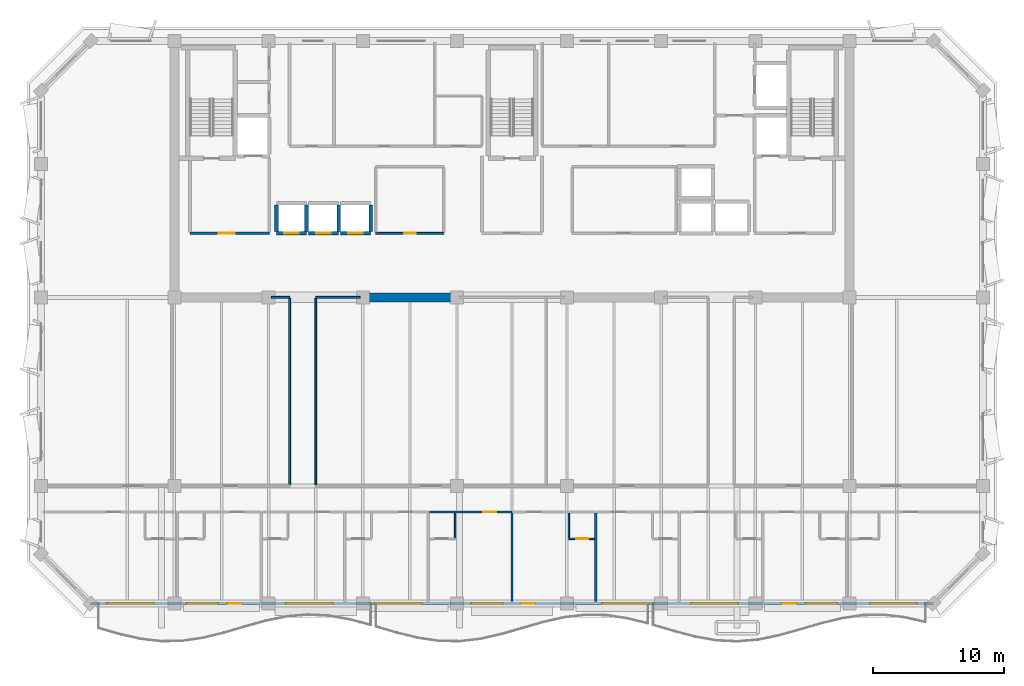
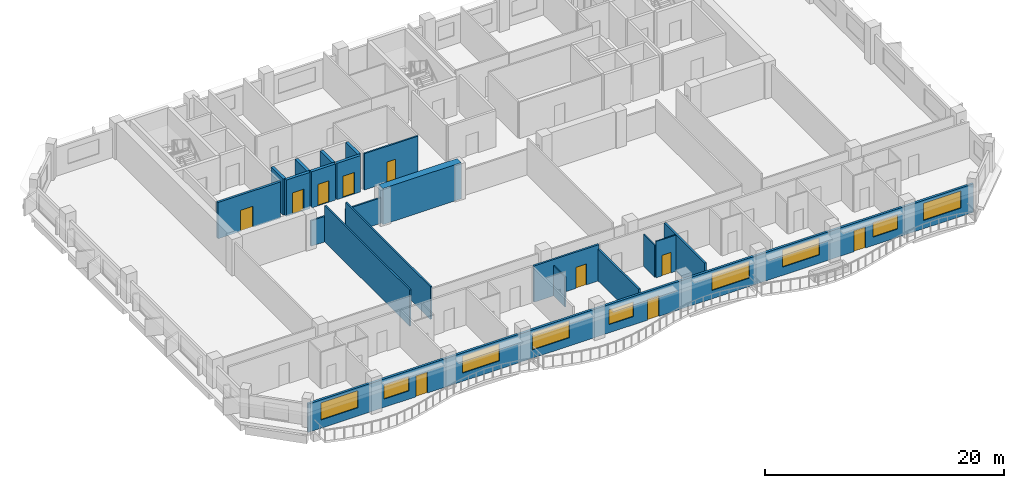
# One storey, part 4 of 11: 21 walls, 10 doors, 9 windows, 19 openings.
"""IFC4 building model written with IfcOpenShell, lengths in metres."""

import ifcopenshell
import ifcopenshell.guid

model = None  # the IFC model being written
_history = None  # IfcOwnerHistory: only IFC2X3 demands one
_inside = {}  # id of a spatial element -> (the spatial element, [elements in it])
_under = {}  # id of a project, library or spatial element -> (it, [spatial elements below it])
_declared = {}  # id of a project -> (the project, [libraries it declares])
_typed = {}  # id of a type object -> (the type object, [elements of that type])
_made_of = {}  # id of a material, layer set ... -> (it, [elements and type objects made of it])


def new_model(schema):
    """Start an empty IFC model of exactly this schema.

    Asked for "IFC4X3", IfcOpenShell would pick the latest addendum, in which some entities
    have other attributes; the version numbers below select the first issue.
    IFC2X3 requires an IfcOwnerHistory on every rooted entity: one is made here for all.
    """
    global model, _history
    if schema == "IFC4X3":
        model = ifcopenshell.file(schema_version=(4, 3, 0, 0))
    else:
        model = ifcopenshell.file(schema=schema)
    _inside.clear()
    _under.clear()
    _declared.clear()
    _typed.clear()
    _made_of.clear()
    _history = None
    if model.schema == "IFC2X3":
        org = make("IfcOrganization", Name="unknown")
        user = make(
            "IfcPersonAndOrganization",
            ThePerson=make("IfcPerson", FamilyName="unknown"),
            TheOrganization=org,
        )
        app = make(
            "IfcApplication",
            ApplicationDeveloper=org,
            Version="unknown",
            ApplicationFullName="unknown",
            ApplicationIdentifier="unknown",
        )
        _history = make(
            "IfcOwnerHistory",
            OwningUser=user,
            OwningApplication=app,
            ChangeAction="ADDED",
            CreationDate=0,
        )
    return model


def make(cls, **values):
    """One entity of the class cls with the attributes given. An attribute that is None is left unset."""
    return model.create_entity(
        cls, **{name: value for name, value in values.items() if value is not None}
    )


def rooted(cls, **values):
    """An entity with a GlobalId (a new one), such as an element, a storey or a relation."""
    return make(cls, GlobalId=ifcopenshell.guid.new(), OwnerHistory=_history, **values)


def si_unit(unit_type, name, prefix=None):
    """IfcSIUnit, for example si_unit("LENGTHUNIT", "METRE", prefix="MILLI")."""
    return make("IfcSIUnit", UnitType=unit_type, Prefix=prefix, Name=name)


def assignment(units):
    """IfcUnitAssignment: the units of a project."""
    return None if units is None else make("IfcUnitAssignment", Units=units)


def point(xyz):
    """IfcCartesianPoint."""
    return None if xyz is None else make("IfcCartesianPoint", Coordinates=xyz)


def direction(xyz):
    """IfcDirection."""
    return None if xyz is None else make("IfcDirection", DirectionRatios=xyz)


def frame(location, z_axis=None, x_axis=None):
    """IfcAxis2Placement3D, a coordinate frame: its origin and axes. An axis left out is left unset."""
    return make(
        "IfcAxis2Placement3D",
        Location=point(location),
        Axis=direction(z_axis),
        RefDirection=direction(x_axis),
    )


def frame_2d(location, x_axis=None):
    """IfcAxis2Placement2D, a coordinate frame in the plane: its origin and x axis."""
    return make(
        "IfcAxis2Placement2D", Location=point(location), RefDirection=direction(x_axis)
    )


def origin():
    """The frame at (0, 0, 0) with its axes left unset."""
    return frame((0.0, 0.0, 0.0))


def place(relative_to, where):
    """IfcLocalPlacement: puts the frame where relative to a parent placement (None: the world)."""
    return make(
        "IfcLocalPlacement", PlacementRelTo=relative_to, RelativePlacement=where
    )


def context(
    kind, dimensions, precision=None, world=None, true_north=None, identifier=None
):
    """IfcGeometricRepresentationContext, for example the 3D "Model" context."""
    return make(
        "IfcGeometricRepresentationContext",
        ContextIdentifier=identifier,
        ContextType=kind,
        CoordinateSpaceDimension=dimensions,
        Precision=precision,
        WorldCoordinateSystem=world,
        TrueNorth=true_north,
    )


def subcontext(parent, identifier, kind, view, scale=None):
    """IfcGeometricRepresentationSubContext, for example "Body" below "Model"."""
    return make(
        "IfcGeometricRepresentationSubContext",
        ContextIdentifier=identifier,
        ContextType=kind,
        ParentContext=parent,
        TargetScale=scale,
        TargetView=view,
    )


def project(units=None, contexts=None):
    """IfcProject with its units and contexts."""
    return rooted(
        "IfcProject",
        Name="project",
        RepresentationContexts=contexts,
        UnitsInContext=assignment(units),
    )


def spatial(cls, under=None, at=None, **own):
    """A site, building, storey or space (cls), placed at a placement, below another one or the project."""
    s = rooted(cls, ObjectPlacement=at, **own)
    if under is not None:
        _under.setdefault(under.id(), (under, []))[1].append(s)
    return s


def profile(cls, at=None, kind="AREA", **sizes):
    """A parametric profile (cls). Its sizes go by their IFC names, for example OverallWidth=200.0."""
    return make(cls, ProfileType=kind, Position=at, **sizes)


def rectangle(**sizes):
    """IfcRectangleProfileDef."""
    return profile("IfcRectangleProfileDef", **sizes)


def extrude(swept, where, along, depth):
    """IfcExtrudedAreaSolid: the profile swept, set in the frame where, extruded along a direction by depth."""
    return make(
        "IfcExtrudedAreaSolid",
        SweptArea=swept,
        Position=where,
        ExtrudedDirection=direction(along),
        Depth=depth,
    )


def shape(context_of_items, identifier, shape_type, items):
    """IfcShapeRepresentation: the items that make up one representation, for example the "Body"."""
    return make(
        "IfcShapeRepresentation",
        ContextOfItems=context_of_items,
        RepresentationIdentifier=identifier,
        RepresentationType=shape_type,
        Items=items,
    )


def material(Name=None, Category=None):
    """IfcMaterial."""
    return make("IfcMaterial", Name=Name, Category=Category)


def layer(
    of_material, thickness, ventilated=None, Name=None, Category=None, Priority=None
):
    """IfcMaterialLayer: one layer of a wall or slab, of a material (None: an air gap)."""
    return make(
        "IfcMaterialLayer",
        Material=of_material,
        LayerThickness=thickness,
        IsVentilated=ventilated,
        Name=Name,
        Category=Category,
        Priority=Priority,
    )


def layer_set(layers, Name=None):
    """IfcMaterialLayerSet."""
    return make("IfcMaterialLayerSet", MaterialLayers=layers, LayerSetName=Name)


def made_of(thing, what):
    """Note that an element or type object is made of a material, layer set ...; save() writes the relation."""
    if what is not None:
        _made_of.setdefault(what.id(), (what, []))[1].append(thing)
    return thing


def type_object(cls, material=None, **own):
    """A type object (cls), such as IfcWallType, which elements share."""
    return made_of(rooted(cls, **own), material)


def element(
    cls,
    number,
    at=None,
    inside=None,
    cuts=None,
    type_object=None,
    material=None,
    context=None,
    identifier="Body",
    shape_type=None,
    held_by="IfcProductDefinitionShape",
    body=None,
    shapes=None,
    **own,
):
    """One element of the class cls, such as IfcWall. Its Tag is "e" and its number.

    at: its placement. inside: the storey or other place that contains it. cuts: it is an
    opening in that element (IfcRelVoidsElement). A single representation is given by context,
    identifier, shape_type and body (its items); several are given by shapes. held_by: the class
    of the entity that holds the representations. save() writes the other relations.
    """
    e = rooted(cls, Tag="e%d" % number, ObjectPlacement=at, **own)
    if body is not None:
        shapes = [shape(context, identifier, shape_type, body)]
    if shapes is not None:
        e.Representation = make(held_by, Representations=shapes)
    if inside is not None:
        _inside.setdefault(inside.id(), (inside, []))[1].append(e)
    if cuts is not None:
        rooted(
            "IfcRelVoidsElement", RelatingBuildingElement=cuts, RelatedOpeningElement=e
        )
    if type_object is not None:
        _typed.setdefault(type_object.id(), (type_object, []))[1].append(e)
    return made_of(e, material)


def fill(opening, filler):
    """IfcRelFillsElement: the door or window that sits in an opening."""
    return rooted(
        "IfcRelFillsElement",
        RelatingOpeningElement=opening,
        RelatedBuildingElement=filler,
    )


def aggregate(whole, parts):
    """IfcRelAggregates: a whole, such as a stair, and the parts it consists of."""
    return rooted("IfcRelAggregates", RelatingObject=whole, RelatedObjects=parts)


def save(model, path):
    """Write the relations noted so far, then the file.

    IfcRelAggregates (storeys below a building ...), IfcRelContainedInSpatialStructure (elements
    in a storey), IfcRelDefinesByType, IfcRelAssociatesMaterial and IfcRelDeclares: one each for
    every whole, place, type object, material and project.
    """
    for whole, parts in _under.values():
        aggregate(whole, parts)
    for where, things in _inside.values():
        rooted(
            "IfcRelContainedInSpatialStructure",
            RelatedElements=things,
            RelatingStructure=where,
        )
    for kind, things in _typed.values():
        rooted("IfcRelDefinesByType", RelatedObjects=things, RelatingType=kind)
    for what, things in _made_of.values():
        rooted("IfcRelAssociatesMaterial", RelatedObjects=things, RelatingMaterial=what)
    for by, libraries in _declared.values():
        rooted("IfcRelDeclares", RelatingContext=by, RelatedDefinitions=libraries)
    model.write(path)


model = new_model("IFC4")

# Units and contexts
model_context = context("Model", 3, precision=1e-05, world=origin(), true_north=direction((0.0, 1.0)))
body_context = subcontext(model_context, "Body", "Model", "MODEL_VIEW")
ifc_project = project(units=[si_unit("LENGTHUNIT", "METRE"), si_unit("AREAUNIT", "SQUARE_METRE"), si_unit("VOLUMEUNIT", "CUBIC_METRE"), si_unit("PLANEANGLEUNIT", "RADIAN"), si_unit("MASSUNIT", "GRAM", prefix="KILO")], contexts=[model_context])

# Site, building, storey
site_placement = place(None, origin())
site = spatial("IfcSite", under=ifc_project, at=site_placement, CompositionType="ELEMENT")
building_placement = place(site_placement, origin())
building = spatial("IfcBuilding", under=site, at=building_placement, Name="Kaelvorn Grand Hotel", CompositionType="ELEMENT")
storey_placement = place(building_placement, frame((0.0, 0.0, 233.10009765625)))
storey = spatial("IfcBuildingStorey", under=building, at=storey_placement, Name="L57", CompositionType="ELEMENT", Elevation=233.10009765625)

# Wall
ifc_material_1 = material(Name="Concrete C50/60", Category="concrete")
ifc_layer_1 = layer(ifc_material_1, 0.699951171875)
ifc_layer_set_1 = layer_set([ifc_layer_1], Name="Concrete C50/60")
wall_type_1 = type_object("IfcWallType", Name="WL-CORE-700-C50", PredefinedType="SHEAR", material=ifc_layer_set_1)
wall_1_placement = place(storey_placement, frame((30.39990234375, 29.39990234375, 0.0), z_axis=(0.0, 0.0, 1.0), x_axis=(1.0, 0.0, 0.0)))
element("IfcWall", 1, at=wall_1_placement, inside=storey, type_object=wall_type_1, Name="L57 Rear-Core Coupled Shear Pier S2", PredefinedType="SHEAR", context=body_context, shape_type="SweptSolid", body=[
    extrude(rectangle(XDim=7.60009765625, YDim=0.699951171875, at=frame_2d((3.800048828125, 0.0))), origin(), (0.0, 0.0, 1.0), 3.7099609375),
])

# Wall, openings, doors, windows
ifc_material_2 = material(Name="Concrete C40/50", Category="concrete")
ifc_layer_2 = layer(ifc_material_2, 0.219970703125)
ifc_layer_set_2 = layer_set([ifc_layer_2], Name="Concrete C40/50")
wall_type_2 = type_object("IfcWallType", Name="WL-EXT-220-C40", PredefinedType="SOLIDWALL", material=ifc_layer_set_2)
wall_2_placement = place(storey_placement, frame((9.800048828125, 6.0, 0.0), z_axis=(0.0, 0.0, 1.0), x_axis=(1.0, 0.0, 0.0)))
wall_2 = element("IfcWall", 2, at=wall_2_placement, inside=storey, type_object=wall_type_2, Name="L57 Exterior Architectural Concrete Wall 01", PredefinedType="SOLIDWALL", context=body_context, shape_type="SweptSolid", body=[
    extrude(rectangle(XDim=64.39990234375, YDim=0.219970703125, at=frame_2d((32.199951171875, 0.0))), origin(), (0.0, 0.0, 1.0), 2.909912109375),
])
opening_1_placement = place(wall_2_placement, frame((10.449951171875, 0.0, 0.0)))
opening_1 = element("IfcOpeningElement", 3, at=opening_1_placement, cuts=wall_2, Name="Opening DE2", PredefinedType="OPENING", context=body_context, shape_type="SweptSolid", body=[
    extrude(rectangle(XDim=1.10009765625, YDim=2.14990234375, at=frame_2d((0.550048828125, 1.074951171875))), frame((0.0, 0.1201171875, 0.0), z_axis=(0.0, -1.0, 0.0), x_axis=(1.0, 0.0, 0.0)), (0.0, 0.0, 1.0), 0.239990234375),
])
opening_2_placement = place(wall_2_placement, frame((32.85009765625, 0.0, 0.0)))
opening_2 = element("IfcOpeningElement", 4, at=opening_2_placement, cuts=wall_2, Name="Opening DE2", PredefinedType="OPENING", context=body_context, shape_type="SweptSolid", body=[
    extrude(rectangle(XDim=1.10009765625, YDim=2.14990234375, at=frame_2d((0.550048828125, 1.074951171875))), frame((0.0, 0.1201171875, 0.0), z_axis=(0.0, -1.0, 0.0), x_axis=(1.0, 0.0, 0.0)), (0.0, 0.0, 1.0), 0.239990234375),
])
opening_3_placement = place(wall_2_placement, frame((52.85009765625, 0.0, 0.0)))
opening_3 = element("IfcOpeningElement", 5, at=opening_3_placement, cuts=wall_2, Name="Opening DE2", PredefinedType="OPENING", context=body_context, shape_type="SweptSolid", body=[
    extrude(rectangle(XDim=1.10009765625, YDim=2.14990234375, at=frame_2d((0.550048828125, 1.074951171875))), frame((0.0, 0.1201171875, 0.0), z_axis=(0.0, -1.0, 0.0), x_axis=(1.0, 0.0, 0.0)), (0.0, 0.0, 1.0), 0.239990234375),
])
opening_4_placement = place(wall_2_placement, frame((1.235107421875, 0.0, 0.85009765625)))
opening_4 = element("IfcOpeningElement", 6, at=opening_4_placement, cuts=wall_2, Name="Opening W3", PredefinedType="OPENING", context=body_context, shape_type="SweptSolid", body=[
    extrude(rectangle(XDim=3.60009765625, YDim=1.75, at=frame_2d((1.800048828125, 0.875))), frame((0.0, 0.1201171875, 0.0), z_axis=(0.0, -1.0, 0.0), x_axis=(1.0, 0.0, 0.0)), (0.0, 0.0, 1.0), 0.239990234375),
])
opening_5_placement = place(wall_2_placement, frame((7.340087890625, 0.0, 0.85009765625)))
opening_5 = element("IfcOpeningElement", 7, at=opening_5_placement, cuts=wall_2, Name="Opening W6", PredefinedType="OPENING", context=body_context, shape_type="SweptSolid", body=[
    extrude(rectangle(XDim=2.39990234375, YDim=1.5, at=frame_2d((1.199951171875, 0.75))), frame((0.0, 0.1201171875, 0.0), z_axis=(0.0, -1.0, 0.0), x_axis=(1.0, 0.0, 0.0)), (0.0, 0.0, 1.0), 0.239990234375),
])
opening_6_placement = place(wall_2_placement, frame((14.909912109375, 0.0, 0.85009765625)))
opening_6 = element("IfcOpeningElement", 8, at=opening_6_placement, cuts=wall_2, Name="Opening W3", PredefinedType="OPENING", context=body_context, shape_type="SweptSolid", body=[
    extrude(rectangle(XDim=3.60009765625, YDim=1.75, at=frame_2d((1.800048828125, 0.875))), frame((0.0, 0.1201171875, 0.0), z_axis=(0.0, -1.0, 0.0), x_axis=(1.0, 0.0, 0.0)), (0.0, 0.0, 1.0), 0.239990234375),
])
opening_7_placement = place(wall_2_placement, frame((21.705078125, 0.0, 0.85009765625)))
opening_7 = element("IfcOpeningElement", 9, at=opening_7_placement, cuts=wall_2, Name="Opening W3", PredefinedType="OPENING", context=body_context, shape_type="SweptSolid", body=[
    extrude(rectangle(XDim=3.60009765625, YDim=1.75, at=frame_2d((1.800048828125, 0.875))), frame((0.0, 0.1201171875, 0.0), z_axis=(0.0, -1.0, 0.0), x_axis=(1.0, 0.0, 0.0)), (0.0, 0.0, 1.0), 0.239990234375),
])
opening_8_placement = place(wall_2_placement, frame((29.10009765625, 0.0, 0.85009765625)))
opening_8 = element("IfcOpeningElement", 10, at=opening_8_placement, cuts=wall_2, Name="Opening W6", PredefinedType="OPENING", context=body_context, shape_type="SweptSolid", body=[
    extrude(rectangle(XDim=2.39990234375, YDim=1.5, at=frame_2d((1.199951171875, 0.75))), frame((0.0, 0.1201171875, 0.0), z_axis=(0.0, -1.0, 0.0), x_axis=(1.0, 0.0, 0.0)), (0.0, 0.0, 1.0), 0.239990234375),
])
opening_9_placement = place(wall_2_placement, frame((39.094970703125, 0.0, 0.85009765625)))
opening_9 = element("IfcOpeningElement", 11, at=opening_9_placement, cuts=wall_2, Name="Opening W3", PredefinedType="OPENING", context=body_context, shape_type="SweptSolid", body=[
    extrude(rectangle(XDim=3.60009765625, YDim=1.75, at=frame_2d((1.800048828125, 0.875))), frame((0.0, 0.1201171875, 0.0), z_axis=(0.0, -1.0, 0.0), x_axis=(1.0, 0.0, 0.0)), (0.0, 0.0, 1.0), 0.239990234375),
])
opening_10_placement = place(wall_2_placement, frame((45.889892578125, 0.0, 0.85009765625)))
opening_10 = element("IfcOpeningElement", 12, at=opening_10_placement, cuts=wall_2, Name="Opening W3", PredefinedType="OPENING", context=body_context, shape_type="SweptSolid", body=[
    extrude(rectangle(XDim=3.60009765625, YDim=1.75, at=frame_2d((1.800048828125, 0.875))), frame((0.0, 0.1201171875, 0.0), z_axis=(0.0, -1.0, 0.0), x_axis=(1.0, 0.0, 0.0)), (0.0, 0.0, 1.0), 0.239990234375),
])
opening_11_placement = place(wall_2_placement, frame((54.659912109375, 0.0, 0.85009765625)))
opening_11 = element("IfcOpeningElement", 13, at=opening_11_placement, cuts=wall_2, Name="Opening W6", PredefinedType="OPENING", context=body_context, shape_type="SweptSolid", body=[
    extrude(rectangle(XDim=2.39990234375, YDim=1.5, at=frame_2d((1.199951171875, 0.75))), frame((0.0, 0.1201171875, 0.0), z_axis=(0.0, -1.0, 0.0), x_axis=(1.0, 0.0, 0.0)), (0.0, 0.0, 1.0), 0.239990234375),
])
opening_12_placement = place(wall_2_placement, frame((59.56494140625, 0.0, 0.85009765625)))
opening_12 = element("IfcOpeningElement", 14, at=opening_12_placement, cuts=wall_2, Name="Opening W3", PredefinedType="OPENING", context=body_context, shape_type="SweptSolid", body=[
    extrude(rectangle(XDim=3.60009765625, YDim=1.75, at=frame_2d((1.800048828125, 0.875))), frame((0.0, 0.1201171875, 0.0), z_axis=(0.0, -1.0, 0.0), x_axis=(1.0, 0.0, 0.0)), (0.0, 0.0, 1.0), 0.239990234375),
])
ifc_material_3 = material(Name="Anodised Aluminium", Category="aluminium")
door_type_1 = type_object("IfcDoorType", Name="DR-EXT-BALC-1100x2150", OperationType="NOTDEFINED", PredefinedType="DOOR", material=ifc_material_3)
door_1_placement = place(opening_1_placement, origin())
door_1 = element("IfcDoor", 15, at=door_1_placement, inside=storey, type_object=door_type_1, Name="L57 Scalloped Balcony Glazed Door DE2-1", OperationType="SINGLE_SWING_RIGHT", OverallHeight=2.14990234375, OverallWidth=1.10009765625, PredefinedType="DOOR", context=body_context, shape_type="SweptSolid", body=[
    extrude(rectangle(XDim=1.10009765625, YDim=2.14990234375, at=frame_2d((0.550048828125, 1.074951171875))), frame((0.0, 0.02490234375, 0.0), z_axis=(0.0, -1.0, 0.0), x_axis=(1.0, 0.0, 0.0)), (0.0, 0.0, 1.0), 0.050048828125),
])
fill(opening_1, door_1)
door_2_placement = place(opening_2_placement, origin())
door_2 = element("IfcDoor", 16, at=door_2_placement, inside=storey, type_object=door_type_1, Name="L57 Scalloped Balcony Glazed Door DE2-2", OperationType="SINGLE_SWING_LEFT", OverallHeight=2.14990234375, OverallWidth=1.10009765625, PredefinedType="DOOR", context=body_context, shape_type="SweptSolid", body=[
    extrude(rectangle(XDim=1.10009765625, YDim=2.14990234375, at=frame_2d((0.550048828125, 1.074951171875))), frame((0.0, 0.02490234375, 0.0), z_axis=(0.0, -1.0, 0.0), x_axis=(1.0, 0.0, 0.0)), (0.0, 0.0, 1.0), 0.050048828125),
])
fill(opening_2, door_2)
door_3_placement = place(opening_3_placement, origin())
door_3 = element("IfcDoor", 17, at=door_3_placement, inside=storey, type_object=door_type_1, Name="L57 Scalloped Balcony Glazed Door DE2-3", OperationType="SINGLE_SWING_RIGHT", OverallHeight=2.14990234375, OverallWidth=1.10009765625, PredefinedType="DOOR", context=body_context, shape_type="SweptSolid", body=[
    extrude(rectangle(XDim=1.10009765625, YDim=2.14990234375, at=frame_2d((0.550048828125, 1.074951171875))), frame((0.0, 0.02490234375, 0.0), z_axis=(0.0, -1.0, 0.0), x_axis=(1.0, 0.0, 0.0)), (0.0, 0.0, 1.0), 0.050048828125),
])
fill(opening_3, door_3)
ifc_material_4 = material(Name="Laminated Low-E Glass", Category="glass")
window_type_1 = type_object("IfcWindowType", Name="WIN-NTH-2400x1500", PartitioningType="SINGLE_PANEL", PredefinedType="WINDOW", material=ifc_material_4)
window_1_placement = place(opening_5_placement, origin())
window_1 = element("IfcWindow", 18, at=window_1_placement, inside=storey, type_object=window_type_1, Name="L57 South Guestroom Ribbon Window SR02", OverallHeight=1.5, OverallWidth=2.39990234375, PartitioningType="SINGLE_PANEL", PredefinedType="WINDOW", context=body_context, shape_type="SweptSolid", body=[
    extrude(rectangle(XDim=2.39990234375, YDim=1.5, at=frame_2d((1.199951171875, 0.75))), frame((0.0, 0.030029296875, 0.0), z_axis=(0.0, -1.0, 0.0), x_axis=(1.0, 0.0, 0.0)), (0.0, 0.0, 1.0), 0.06005859375),
])
fill(opening_5, window_1)
window_2_placement = place(opening_8_placement, origin())
window_2 = element("IfcWindow", 19, at=window_2_placement, inside=storey, type_object=window_type_1, Name="L57 South Guestroom Ribbon Window SR05", OverallHeight=1.5, OverallWidth=2.39990234375, PartitioningType="SINGLE_PANEL", PredefinedType="WINDOW", context=body_context, shape_type="SweptSolid", body=[
    extrude(rectangle(XDim=2.39990234375, YDim=1.5, at=frame_2d((1.199951171875, 0.75))), frame((0.0, 0.030029296875, 0.0), z_axis=(0.0, -1.0, 0.0), x_axis=(1.0, 0.0, 0.0)), (0.0, 0.0, 1.0), 0.06005859375),
])
fill(opening_8, window_2)
window_3_placement = place(opening_11_placement, origin())
window_3 = element("IfcWindow", 20, at=window_3_placement, inside=storey, type_object=window_type_1, Name="L57 South Guestroom Ribbon Window SR08", OverallHeight=1.5, OverallWidth=2.39990234375, PartitioningType="SINGLE_PANEL", PredefinedType="WINDOW", context=body_context, shape_type="SweptSolid", body=[
    extrude(rectangle(XDim=2.39990234375, YDim=1.5, at=frame_2d((1.199951171875, 0.75))), frame((0.0, 0.030029296875, 0.0), z_axis=(0.0, -1.0, 0.0), x_axis=(1.0, 0.0, 0.0)), (0.0, 0.0, 1.0), 0.06005859375),
])
fill(opening_11, window_3)
window_type_2 = type_object("IfcWindowType", Name="WIN-RIB-3600x1750", PartitioningType="SINGLE_PANEL", PredefinedType="WINDOW", material=ifc_material_4)
window_4_placement = place(opening_4_placement, origin())
window_4 = element("IfcWindow", 21, at=window_4_placement, inside=storey, type_object=window_type_2, Name="L57 South Guestroom Ribbon Window SR01", OverallHeight=1.75, OverallWidth=3.60009765625, PartitioningType="SINGLE_PANEL", PredefinedType="WINDOW", context=body_context, shape_type="SweptSolid", body=[
    extrude(rectangle(XDim=3.60009765625, YDim=1.75, at=frame_2d((1.800048828125, 0.875))), frame((0.0, 0.030029296875, 0.0), z_axis=(0.0, -1.0, 0.0), x_axis=(1.0, 0.0, 0.0)), (0.0, 0.0, 1.0), 0.06005859375),
])
fill(opening_4, window_4)
window_5_placement = place(opening_6_placement, origin())
window_5 = element("IfcWindow", 22, at=window_5_placement, inside=storey, type_object=window_type_2, Name="L57 South Guestroom Ribbon Window SR03", OverallHeight=1.75, OverallWidth=3.60009765625, PartitioningType="SINGLE_PANEL", PredefinedType="WINDOW", context=body_context, shape_type="SweptSolid", body=[
    extrude(rectangle(XDim=3.60009765625, YDim=1.75, at=frame_2d((1.800048828125, 0.875))), frame((0.0, 0.030029296875, 0.0), z_axis=(0.0, -1.0, 0.0), x_axis=(1.0, 0.0, 0.0)), (0.0, 0.0, 1.0), 0.06005859375),
])
fill(opening_6, window_5)
window_6_placement = place(opening_7_placement, origin())
window_6 = element("IfcWindow", 23, at=window_6_placement, inside=storey, type_object=window_type_2, Name="L57 South Guestroom Ribbon Window SR04", OverallHeight=1.75, OverallWidth=3.60009765625, PartitioningType="SINGLE_PANEL", PredefinedType="WINDOW", context=body_context, shape_type="SweptSolid", body=[
    extrude(rectangle(XDim=3.60009765625, YDim=1.75, at=frame_2d((1.800048828125, 0.875))), frame((0.0, 0.030029296875, 0.0), z_axis=(0.0, -1.0, 0.0), x_axis=(1.0, 0.0, 0.0)), (0.0, 0.0, 1.0), 0.06005859375),
])
fill(opening_7, window_6)
window_7_placement = place(opening_9_placement, origin())
window_7 = element("IfcWindow", 24, at=window_7_placement, inside=storey, type_object=window_type_2, Name="L57 South Guestroom Ribbon Window SR06", OverallHeight=1.75, OverallWidth=3.60009765625, PartitioningType="SINGLE_PANEL", PredefinedType="WINDOW", context=body_context, shape_type="SweptSolid", body=[
    extrude(rectangle(XDim=3.60009765625, YDim=1.75, at=frame_2d((1.800048828125, 0.875))), frame((0.0, 0.030029296875, 0.0), z_axis=(0.0, -1.0, 0.0), x_axis=(1.0, 0.0, 0.0)), (0.0, 0.0, 1.0), 0.06005859375),
])
fill(opening_9, window_7)
window_8_placement = place(opening_10_placement, origin())
window_8 = element("IfcWindow", 25, at=window_8_placement, inside=storey, type_object=window_type_2, Name="L57 South Guestroom Ribbon Window SR07", OverallHeight=1.75, OverallWidth=3.60009765625, PartitioningType="SINGLE_PANEL", PredefinedType="WINDOW", context=body_context, shape_type="SweptSolid", body=[
    extrude(rectangle(XDim=3.60009765625, YDim=1.75, at=frame_2d((1.800048828125, 0.875))), frame((0.0, 0.030029296875, 0.0), z_axis=(0.0, -1.0, 0.0), x_axis=(1.0, 0.0, 0.0)), (0.0, 0.0, 1.0), 0.06005859375),
])
fill(opening_10, window_8)
window_9_placement = place(opening_12_placement, origin())
window_9 = element("IfcWindow", 26, at=window_9_placement, inside=storey, type_object=window_type_2, Name="L57 South Guestroom Ribbon Window SR09", OverallHeight=1.75, OverallWidth=3.60009765625, PartitioningType="SINGLE_PANEL", PredefinedType="WINDOW", context=body_context, shape_type="SweptSolid", body=[
    extrude(rectangle(XDim=3.60009765625, YDim=1.75, at=frame_2d((1.800048828125, 0.875))), frame((0.0, 0.030029296875, 0.0), z_axis=(0.0, -1.0, 0.0), x_axis=(1.0, 0.0, 0.0)), (0.0, 0.0, 1.0), 0.06005859375),
])
fill(opening_12, window_9)

# Wall
ifc_material_5 = material(Name="Moisture-Resistant Tile & Stud Board")
ifc_layer_3 = layer(ifc_material_5, 0.125)
ifc_layer_set_3 = layer_set([ifc_layer_3], Name="Moisture-Resistant Tile & Stud Board")
wall_type_3 = type_object("IfcWallType", Name="WL-PART-125-WET", PredefinedType="PARTITIONING", material=ifc_layer_set_3)
wall_3_placement = place(storey_placement, frame((37.64990234375, 11.017578125, 0.0), z_axis=(0.0, 0.0, 1.0), x_axis=(0.0, 1.0, 0.0)))
element("IfcWall", 27, at=wall_3_placement, inside=storey, type_object=wall_type_3, Name="L57 En-suite Bathroom L57-05 E Partition", PredefinedType="PARTITIONING", context=body_context, shape_type="SweptSolid", body=[
    extrude(rectangle(XDim=1.887451171875, YDim=0.125, at=frame_2d((0.94384765625, 0.0))), origin(), (0.0, 0.0, 1.0), 3.079833984375),
])

# Wall, opening, door
wall_4_placement = place(storey_placement, frame((46.35009765625, 10.949951171875, 0.0), z_axis=(0.0, 0.0, 1.0), x_axis=(1.0, 0.0, 0.0)))
wall_4 = element("IfcWall", 28, at=wall_4_placement, inside=storey, type_object=wall_type_3, Name="L57 En-suite Bathroom L57-06 S Partition", PredefinedType="PARTITIONING", context=body_context, shape_type="SweptSolid", body=[
    extrude(rectangle(XDim=1.94482421875, YDim=0.125, at=frame_2d((0.972412109375, 0.0))), origin(), (0.0, 0.0, 1.0), 3.7099609375),
])
opening_13_placement = place(wall_4_placement, frame((0.570068359375, 0.0, 0.0)))
opening_13 = element("IfcOpeningElement", 29, at=opening_13_placement, cuts=wall_4, Name="Opening DI4", PredefinedType="OPENING", context=body_context, shape_type="SweptSolid", body=[
    extrude(rectangle(XDim=0.89990234375, YDim=2.10009765625, at=frame_2d((0.449951171875, 1.050048828125))), frame((0.0, 0.072509765625, 0.0), z_axis=(0.0, -1.0, 0.0), x_axis=(1.0, 0.0, 0.0)), (0.0, 0.0, 1.0), 0.14501953125),
])
ifc_material_6 = material(Name="Timber Veneer Leaf", Category="wood")
door_type_2 = type_object("IfcDoorType", Name="DR-INT-BATH-900x2100", OperationType="NOTDEFINED", PredefinedType="DOOR", material=ifc_material_6)
door_4_placement = place(opening_13_placement, origin())
door_4 = element("IfcDoor", 30, at=door_4_placement, inside=storey, type_object=door_type_2, Name="L57 En-suite Bathroom L57-06 Door", OperationType="SINGLE_SWING_RIGHT", OverallHeight=2.10009765625, OverallWidth=0.89990234375, PredefinedType="DOOR", context=body_context, shape_type="SweptSolid", body=[
    extrude(rectangle(XDim=0.89990234375, YDim=2.10009765625, at=frame_2d((0.449951171875, 1.050048828125))), frame((0.0, 0.02490234375, 0.0), z_axis=(0.0, -1.0, 0.0), x_axis=(1.0, 0.0, 0.0)), (0.0, 0.0, 1.0), 0.050048828125),
])
fill(opening_13, door_4)

# Wall
wall_5_placement = place(storey_placement, frame((46.35009765625, 11.017578125, 0.0), z_axis=(0.0, 0.0, 1.0), x_axis=(0.0, 1.0, 0.0)))
element("IfcWall", 31, at=wall_5_placement, inside=storey, type_object=wall_type_3, Name="L57 En-suite Bathroom L57-06 W Partition", PredefinedType="PARTITIONING", context=body_context, shape_type="SweptSolid", body=[
    extrude(rectangle(XDim=1.887451171875, YDim=0.125, at=frame_2d((0.94384765625, 0.0))), origin(), (0.0, 0.0, 1.0), 3.260009765625),
])

# Wall, opening, door
ifc_material_7 = material(Name="Acoustic Gypsum & Stud Partition")
ifc_layer_4 = layer(ifc_material_7, 0.14990234375)
ifc_layer_set_4 = layer_set([ifc_layer_4], Name="Acoustic Gypsum & Stud Partition")
wall_type_4 = type_object("IfcWallType", Name="WL-PART-150-EI60", PredefinedType="PARTITIONING", material=ifc_layer_set_4)
wall_6_placement = place(storey_placement, frame((31.60009765625, 34.300048828125, 0.0), z_axis=(0.0, 0.0, 1.0), x_axis=(1.0, 0.0, 0.0)))
wall_6 = element("IfcWall", 32, at=wall_6_placement, inside=storey, type_object=wall_type_4, Name="L57 Core Telecoms & BMS Server Room S Partition", PredefinedType="PARTITIONING", context=body_context, shape_type="SweptSolid", body=[
    extrude(rectangle(XDim=5.199951171875, YDim=0.14990234375, at=frame_2d((2.60009765625, 0.0))), origin(), (0.0, 0.0, 1.0), 3.7099609375),
])
opening_14_placement = place(wall_6_placement, frame((2.175048828125, 0.0, 0.0)))
opening_14 = element("IfcOpeningElement", 33, at=opening_14_placement, cuts=wall_6, Name="Opening DI7", PredefinedType="OPENING", context=body_context, shape_type="SweptSolid", body=[
    extrude(rectangle(XDim=0.85009765625, YDim=2.10009765625, at=frame_2d((0.425048828125, 1.050048828125))), frame((0.0, 0.0849609375, 0.0), z_axis=(0.0, -1.0, 0.0), x_axis=(1.0, 0.0, 0.0)), (0.0, 0.0, 1.0), 0.169921875),
])
ifc_material_8 = material(Name="Powder-Coated Steel Leaf", Category="steel")
door_type_3 = type_object("IfcDoorType", Name="DR-INT-RISER-850x2100", OperationType="NOTDEFINED", PredefinedType="DOOR", material=ifc_material_8)
door_5_placement = place(opening_14_placement, origin())
door_5 = element("IfcDoor", 34, at=door_5_placement, inside=storey, type_object=door_type_3, Name="L57 Core Telecoms & BMS Server Room Door", OperationType="SINGLE_SWING_RIGHT", OverallHeight=2.10009765625, OverallWidth=0.85009765625, PredefinedType="DOOR", context=body_context, shape_type="SweptSolid", body=[
    extrude(rectangle(XDim=0.85009765625, YDim=2.10009765625, at=frame_2d((0.425048828125, 1.050048828125))), frame((0.0, 0.02490234375, 0.0), z_axis=(0.0, -1.0, 0.0), x_axis=(1.0, 0.0, 0.0)), (0.0, 0.0, 1.0), 0.050048828125),
])
fill(opening_14, door_5)

# Walls
wall_7_placement = place(storey_placement, frame((23.610107421875, 29.39990234375, 0.0), z_axis=(0.0, 0.0, 1.0), x_axis=(1.0, 0.0, 0.0)))
element("IfcWall", 35, at=wall_7_placement, inside=storey, type_object=wall_type_4, Name="L57 Executive Meeting Boardroom N Partition", PredefinedType="PARTITIONING", context=body_context, shape_type="SweptSolid", body=[
    extrude(rectangle(XDim=1.389892578125, YDim=0.14990234375, at=frame_2d((0.69482421875, 0.0))), origin(), (0.0, 0.0, 1.0), 2.60986328125),
])
wall_8_placement = place(storey_placement, frame((25.0, 15.080078125, 0.0), z_axis=(0.0, 0.0, 1.0), x_axis=(0.0, 1.0, 0.0)))
element("IfcWall", 36, at=wall_8_placement, inside=storey, type_object=wall_type_4, Name="L57 Executive Meeting Boardroom E Partition", PredefinedType="PARTITIONING", context=body_context, shape_type="SweptSolid", body=[
    extrude(rectangle(XDim=14.239990234375, YDim=0.14990234375, at=frame_2d((7.1201171875, 0.0))), origin(), (0.0, 0.0, 1.0), 3.7099609375),
])
wall_9_placement = place(storey_placement, frame((27.0, 29.39990234375, 0.0), z_axis=(0.0, 0.0, 1.0), x_axis=(1.0, 0.0, 0.0)))
element("IfcWall", 37, at=wall_9_placement, inside=storey, type_object=wall_type_4, Name="L57 Guest Butler Kitchen N Partition (1)", PredefinedType="PARTITIONING", context=body_context, shape_type="SweptSolid", body=[
    extrude(rectangle(XDim=3.389892578125, YDim=0.14990234375, at=frame_2d((1.69482421875, 0.0))), origin(), (0.0, 0.0, 1.0), 2.60986328125),
])
wall_10_placement = place(storey_placement, frame((27.0, 15.080078125, 0.0), z_axis=(0.0, 0.0, 1.0), x_axis=(0.0, 1.0, 0.0)))
element("IfcWall", 38, at=wall_10_placement, inside=storey, type_object=wall_type_4, Name="L57 Guest Butler Kitchen W Partition", PredefinedType="PARTITIONING", context=body_context, shape_type="SweptSolid", body=[
    extrude(rectangle(XDim=14.239990234375, YDim=0.14990234375, at=frame_2d((7.1201171875, 0.0))), origin(), (0.0, 0.0, 1.0), 3.349853515625),
])

# Wall, opening, door
ifc_layer_5 = layer(ifc_material_7, 0.179931640625)
ifc_layer_set_5 = layer_set([ifc_layer_5], Name="Acoustic Gypsum & Stud Partition")
wall_type_5 = type_object("IfcWallType", Name="WL-PART-180-EI60", PredefinedType="PARTITIONING", material=ifc_layer_set_5)
wall_11_placement = place(storey_placement, frame((35.705078125, 13.0, 0.0), z_axis=(0.0, 0.0, 1.0), x_axis=(1.0, 0.0, 0.0)))
wall_11 = element("IfcWall", 39, at=wall_11_placement, inside=storey, type_object=wall_type_5, Name="L57 Ambassador Guest Room L57-05 N Partition", PredefinedType="PARTITIONING", context=body_context, shape_type="SweptSolid", body=[
    extrude(rectangle(XDim=6.294921875, YDim=0.179931640625, at=frame_2d((3.1474609375, 0.0))), origin(), (0.0, 0.0, 1.0), 3.7099609375),
])
opening_15_placement = place(wall_11_placement, frame((4.0849609375, 0.0, 0.0)))
opening_15 = element("IfcOpeningElement", 40, at=opening_15_placement, cuts=wall_11, Name="Opening DI3", PredefinedType="OPENING", context=body_context, shape_type="SweptSolid", body=[
    extrude(rectangle(XDim=1.0, YDim=2.14990234375, at=frame_2d((0.5, 1.074951171875))), frame((0.0, 0.10009765625, 0.0), z_axis=(0.0, -1.0, 0.0), x_axis=(1.0, 0.0, 0.0)), (0.0, 0.0, 1.0), 0.199951171875),
])
ifc_material_9 = material(Name="Timber Veneer Fire Leaf", Category="wood")
door_type_4 = type_object("IfcDoorType", Name="DR-INT-GUEST-1000x2150", OperationType="NOTDEFINED", PredefinedType="DOOR", material=ifc_material_9)
door_6_placement = place(opening_15_placement, origin())
door_6 = element("IfcDoor", 41, at=door_6_placement, inside=storey, type_object=door_type_4, Name="L57 Ambassador Guest Room L57-05 Door", OperationType="SINGLE_SWING_LEFT", OverallHeight=2.14990234375, OverallWidth=1.0, PredefinedType="DOOR", context=body_context, shape_type="SweptSolid", body=[
    extrude(rectangle(XDim=1.0, YDim=2.14990234375, at=frame_2d((0.5, 1.074951171875))), frame((0.0, 0.02490234375, 0.0), z_axis=(0.0, -1.0, 0.0), x_axis=(1.0, 0.0, 0.0)), (0.0, 0.0, 1.0), 0.050048828125),
])
fill(opening_15, door_6)

# Walls
wall_12_placement = place(storey_placement, frame((42.0, 6.14990234375, 0.0), z_axis=(0.0, 0.0, 1.0), x_axis=(0.0, 1.0, 0.0)))
element("IfcWall", 42, at=wall_12_placement, inside=storey, type_object=wall_type_5, Name="L57 Ambassador Guest Room L57-05 E Partition", PredefinedType="PARTITIONING", context=body_context, shape_type="SweptSolid", body=[
    extrude(rectangle(XDim=6.755126953125, YDim=0.179931640625, at=frame_2d((3.37744140625, 0.0))), origin(), (0.0, 0.0, 1.0), 3.260009765625),
])
wall_13_placement = place(storey_placement, frame((48.389892578125, 6.14990234375, 0.0), z_axis=(0.0, 0.0, 1.0), x_axis=(0.0, 1.0, 0.0)))
element("IfcWall", 43, at=wall_13_placement, inside=storey, type_object=wall_type_5, Name="L57 Ambassador Guest Room L57-06 E Partition", PredefinedType="PARTITIONING", context=body_context, shape_type="SweptSolid", body=[
    extrude(rectangle(XDim=6.755126953125, YDim=0.179931640625, at=frame_2d((3.37744140625, 0.0))), origin(), (0.0, 0.0, 1.0), 3.7099609375),
])

# Wall, opening, door
ifc_layer_6 = layer(ifc_material_2, 0.219970703125)
ifc_layer_set_6 = layer_set([ifc_layer_6], Name="Concrete C40/50")
wall_type_6 = type_object("IfcWallType", Name="WL-PART-220-EI120", PredefinedType="PARTITIONING", material=ifc_layer_set_6)
wall_14_placement = place(storey_placement, frame((17.39990234375, 34.300048828125, 0.0), z_axis=(0.0, 0.0, 1.0), x_axis=(1.0, 0.0, 0.0)))
wall_14 = element("IfcWall", 44, at=wall_14_placement, inside=storey, type_object=wall_type_6, Name="L57 Firefighting Lift Lobby 1 S Partition", PredefinedType="PARTITIONING", context=body_context, shape_type="SweptSolid", body=[
    extrude(rectangle(XDim=6.050048828125, YDim=0.219970703125, at=frame_2d((3.02490234375, 0.0))), origin(), (0.0, 0.0, 1.0), 3.7099609375),
])
opening_16_placement = place(wall_14_placement, frame((2.199951171875, 0.0, 0.0)))
opening_16 = element("IfcOpeningElement", 45, at=opening_16_placement, cuts=wall_14, Name="Opening DI2", PredefinedType="OPENING", context=body_context, shape_type="SweptSolid", body=[
    extrude(rectangle(XDim=1.199951171875, YDim=2.14990234375, at=frame_2d((0.60009765625, 1.074951171875))), frame((0.0, 0.1201171875, 0.0), z_axis=(0.0, -1.0, 0.0), x_axis=(1.0, 0.0, 0.0)), (0.0, 0.0, 1.0), 0.239990234375),
])
door_type_5 = type_object("IfcDoorType", Name="DR-INT-FFLOB-1200x2150", OperationType="NOTDEFINED", PredefinedType="DOOR", material=ifc_material_9)
door_7_placement = place(opening_16_placement, origin())
door_7 = element("IfcDoor", 46, at=door_7_placement, inside=storey, type_object=door_type_5, Name="L57 Firefighting Lift Lobby 1 Door", OperationType="SINGLE_SWING_RIGHT", OverallHeight=2.14990234375, OverallWidth=1.199951171875, PredefinedType="DOOR", context=body_context, shape_type="SweptSolid", body=[
    extrude(rectangle(XDim=1.199951171875, YDim=2.14990234375, at=frame_2d((0.60009765625, 1.074951171875))), frame((0.0, 0.02490234375, 0.0), z_axis=(0.0, -1.0, 0.0), x_axis=(1.0, 0.0, 0.0)), (0.0, 0.0, 1.0), 0.050048828125),
])
fill(opening_16, door_7)

ifc_layer_7 = layer(ifc_material_1, 0.280029296875)
ifc_layer_set_7 = layer_set([ifc_layer_7], Name="Concrete C50/60")
wall_type_7 = type_object("IfcWallType", Name="WL-SHAFT-280-C50", PredefinedType="SHEAR", material=ifc_layer_set_7)
wall_15_placement = place(storey_placement, frame((24.0, 34.300048828125, 0.0), z_axis=(0.0, 0.0, 1.0), x_axis=(1.0, 0.0, 0.0)))
wall_15 = element("IfcWall", 47, at=wall_15_placement, inside=storey, type_object=wall_type_7, Name="L57 Lift PL-H1 Shaft South Wall", PredefinedType="SHEAR", context=body_context, shape_type="SweptSolid", body=[
    extrude(rectangle(XDim=2.300048828125, YDim=0.280029296875, at=frame_2d((1.14990234375, 0.0))), origin(), (0.0, 0.0, 1.0), 3.7099609375),
])
opening_17_placement = place(wall_15_placement, frame((0.60009765625, 0.0, 0.0)))
opening_17 = element("IfcOpeningElement", 48, at=opening_17_placement, cuts=wall_15, Name="Opening LD-PL-H1", PredefinedType="OPENING", context=body_context, shape_type="SweptSolid", body=[
    extrude(rectangle(XDim=1.10009765625, YDim=2.199951171875, at=frame_2d((0.550048828125, 1.10009765625))), frame((0.0, 0.14990234375, 0.0), z_axis=(0.0, -1.0, 0.0), x_axis=(1.0, 0.0, 0.0)), (0.0, 0.0, 1.0), 0.300048828125),
])
ifc_material_10 = material(Name="Stainless Steel", Category="steel")
door_type_6 = type_object("IfcDoorType", Name="DR-LIFT-PASS-1100x2200", OperationType="DOUBLE_DOOR_SLIDING", PredefinedType="DOOR", material=ifc_material_10)
door_8_placement = place(opening_17_placement, origin())
door_8 = element("IfcDoor", 49, at=door_8_placement, inside=storey, type_object=door_type_6, Name="L57 Lift PL-H1 Sliding Landing Door LD-PL-H1", OperationType="DOUBLE_DOOR_SLIDING", OverallHeight=2.199951171875, OverallWidth=1.10009765625, PredefinedType="DOOR", context=body_context, shape_type="SweptSolid", body=[
    extrude(rectangle(XDim=1.10009765625, YDim=2.199951171875, at=frame_2d((0.550048828125, 1.10009765625))), frame((0.0, 0.02490234375, 0.0), z_axis=(0.0, -1.0, 0.0), x_axis=(1.0, 0.0, 0.0)), (0.0, 0.0, 1.0), 0.050048828125),
])
fill(opening_17, door_8)

# Walls
for number, where, z_axis, x_axis, name in (
    (50, (24.0, 34.445068359375, 0.0), (0.0, 0.0, 1.0), (0.0, 1.0, 0.0), "L57 Lift PL-H1 Shaft West Wall"),
    (51, (26.300048828125, 34.445068359375, 0.0), (0.0, 0.0, 1.0), (0.0, 1.0, 0.0), "L57 Lift PL-H1 Shaft East Wall"),
):
    element("IfcWall", number, at=place(storey_placement, frame(where, z_axis=z_axis, x_axis=x_axis)), inside=storey, type_object=wall_type_7, Name=name, PredefinedType="SHEAR", context=body_context, shape_type="SweptSolid", body=[
        extrude(rectangle(XDim=2.010009765625, YDim=0.280029296875, at=frame_2d((1.0048828125, 0.0))), origin(), (0.0, 0.0, 1.0), 3.7099609375),
    ])

# Wall, opening, door
wall_16_placement = place(storey_placement, frame((26.449951171875, 34.300048828125, 0.0), z_axis=(0.0, 0.0, 1.0), x_axis=(1.0, 0.0, 0.0)))
wall_16 = element("IfcWall", 52, at=wall_16_placement, inside=storey, type_object=wall_type_7, Name="L57 Lift PL-H2 Shaft South Wall", PredefinedType="SHEAR", context=body_context, shape_type="SweptSolid", body=[
    extrude(rectangle(XDim=2.300048828125, YDim=0.280029296875, at=frame_2d((1.14990234375, 0.0))), origin(), (0.0, 0.0, 1.0), 3.7099609375),
])
opening_18_placement = place(wall_16_placement, frame((0.60009765625, 0.0, 0.0)))
opening_18 = element("IfcOpeningElement", 53, at=opening_18_placement, cuts=wall_16, Name="Opening LD-PL-H2", PredefinedType="OPENING", context=body_context, shape_type="SweptSolid", body=[
    extrude(rectangle(XDim=1.10009765625, YDim=2.199951171875, at=frame_2d((0.550048828125, 1.10009765625))), frame((0.0, 0.14990234375, 0.0), z_axis=(0.0, -1.0, 0.0), x_axis=(1.0, 0.0, 0.0)), (0.0, 0.0, 1.0), 0.300048828125),
])
door_9_placement = place(opening_18_placement, origin())
door_9 = element("IfcDoor", 54, at=door_9_placement, inside=storey, type_object=door_type_6, Name="L57 Lift PL-H2 Sliding Landing Door LD-PL-H2", OperationType="DOUBLE_DOOR_SLIDING", OverallHeight=2.199951171875, OverallWidth=1.10009765625, PredefinedType="DOOR", context=body_context, shape_type="SweptSolid", body=[
    extrude(rectangle(XDim=1.10009765625, YDim=2.199951171875, at=frame_2d((0.550048828125, 1.10009765625))), frame((0.0, 0.02490234375, 0.0), z_axis=(0.0, -1.0, 0.0), x_axis=(1.0, 0.0, 0.0)), (0.0, 0.0, 1.0), 0.050048828125),
])
fill(opening_18, door_9)

# Wall
wall_17_placement = place(storey_placement, frame((28.75, 34.445068359375, 0.0), z_axis=(0.0, 0.0, 1.0), x_axis=(0.0, 1.0, 0.0)))
element("IfcWall", 55, at=wall_17_placement, inside=storey, type_object=wall_type_7, Name="L57 Lift PL-H2 Shaft East Wall", PredefinedType="SHEAR", context=body_context, shape_type="SweptSolid", body=[
    extrude(rectangle(XDim=2.010009765625, YDim=0.280029296875, at=frame_2d((1.0048828125, 0.0))), origin(), (0.0, 0.0, 1.0), 3.7099609375),
])

# Wall, opening, door
wall_18_placement = place(storey_placement, frame((28.89990234375, 34.300048828125, 0.0), z_axis=(0.0, 0.0, 1.0), x_axis=(1.0, 0.0, 0.0)))
wall_18 = element("IfcWall", 56, at=wall_18_placement, inside=storey, type_object=wall_type_7, Name="L57 Lift PL-H3 Shaft South Wall", PredefinedType="SHEAR", context=body_context, shape_type="SweptSolid", body=[
    extrude(rectangle(XDim=2.300048828125, YDim=0.280029296875, at=frame_2d((1.14990234375, 0.0))), origin(), (0.0, 0.0, 1.0), 3.7099609375),
])
opening_19_placement = place(wall_18_placement, frame((0.60009765625, 0.0, 0.0)))
opening_19 = element("IfcOpeningElement", 57, at=opening_19_placement, cuts=wall_18, Name="Opening LD-PL-H3", PredefinedType="OPENING", context=body_context, shape_type="SweptSolid", body=[
    extrude(rectangle(XDim=1.10009765625, YDim=2.199951171875, at=frame_2d((0.550048828125, 1.10009765625))), frame((0.0, 0.14990234375, 0.0), z_axis=(0.0, -1.0, 0.0), x_axis=(1.0, 0.0, 0.0)), (0.0, 0.0, 1.0), 0.300048828125),
])
door_10_placement = place(opening_19_placement, origin())
door_10 = element("IfcDoor", 58, at=door_10_placement, inside=storey, type_object=door_type_6, Name="L57 Lift PL-H3 Sliding Landing Door LD-PL-H3", OperationType="DOUBLE_DOOR_SLIDING", OverallHeight=2.199951171875, OverallWidth=1.10009765625, PredefinedType="DOOR", context=body_context, shape_type="SweptSolid", body=[
    extrude(rectangle(XDim=1.10009765625, YDim=2.199951171875, at=frame_2d((0.550048828125, 1.10009765625))), frame((0.0, 0.02490234375, 0.0), z_axis=(0.0, -1.0, 0.0), x_axis=(1.0, 0.0, 0.0)), (0.0, 0.0, 1.0), 0.050048828125),
])
fill(opening_19, door_10)

# Wall
wall_19_placement = place(storey_placement, frame((31.199951171875, 34.445068359375, 0.0), z_axis=(0.0, 0.0, 1.0), x_axis=(0.0, 1.0, 0.0)))
element("IfcWall", 59, at=wall_19_placement, inside=storey, type_object=wall_type_7, Name="L57 Lift PL-H3 Shaft East Wall", PredefinedType="SHEAR", context=body_context, shape_type="SweptSolid", body=[
    extrude(rectangle(XDim=2.010009765625, YDim=0.280029296875, at=frame_2d((1.0048828125, 0.0))), origin(), (0.0, 0.0, 1.0), 3.7099609375),
])

save(model, "model.ifc")
